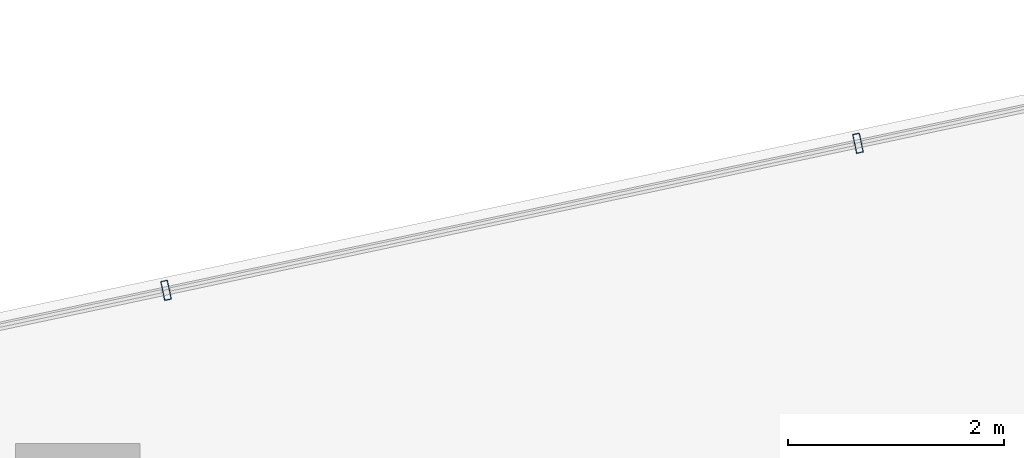
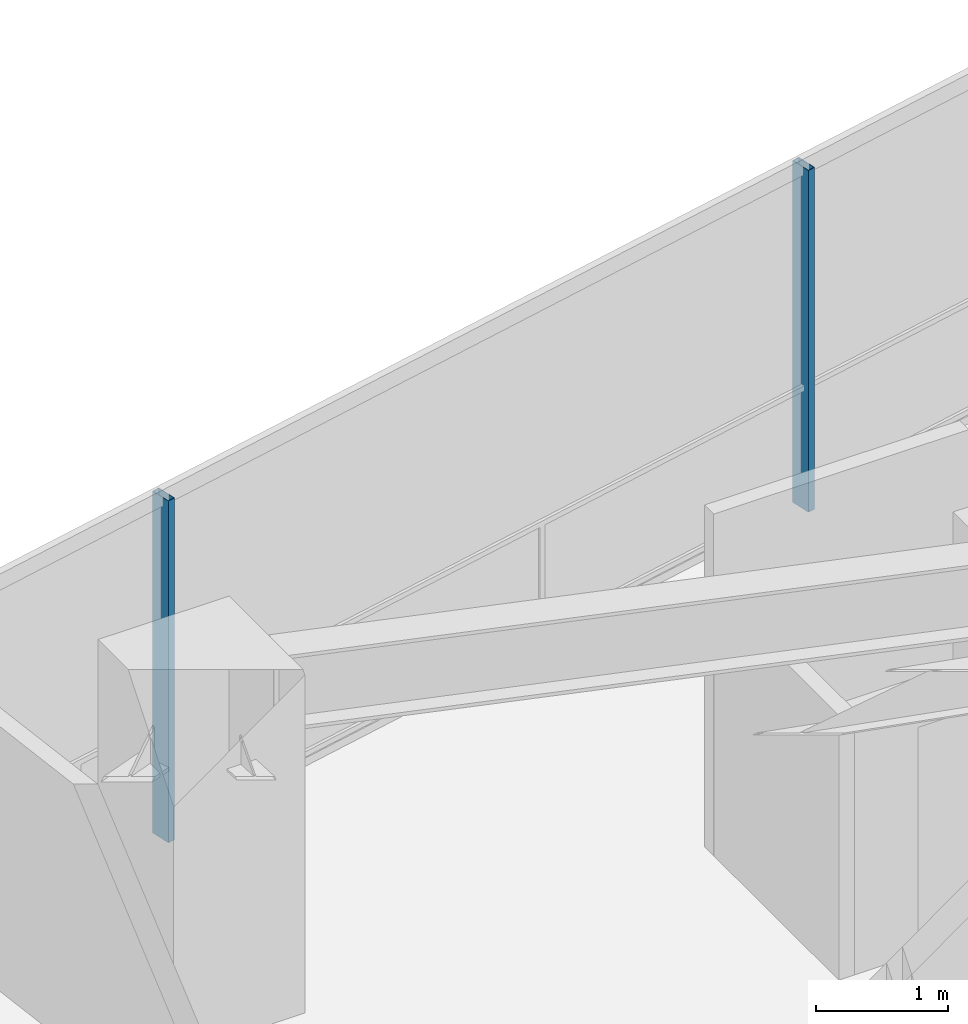
# One storey, part 19 of 27: 2 members, 1 element without a shape of its own.
"""IFC4 building model written with IfcOpenShell, lengths in metres."""

from ifc_helpers import new_model, si_unit, direction, frame, origin, origin_2d, place, context, subcontext, project, spatial, hollow_rectangle, extrude, material, layer, layer_set, material_profile, profile_set, type_object, element, aggregate, save


model = new_model("IFC4")

# Units and contexts
model_context = context("Model", 3, precision=1e-05, world=origin(), true_north=direction((0.0, 1.0)))
body_context = subcontext(model_context, "Body", "Model", "MODEL_VIEW")
ifc_project = project(units=[si_unit("LENGTHUNIT", "METRE"), si_unit("AREAUNIT", "SQUARE_METRE"), si_unit("VOLUMEUNIT", "CUBIC_METRE"), si_unit("PLANEANGLEUNIT", "RADIAN"), si_unit("MASSUNIT", "GRAM", prefix="KILO")], contexts=[model_context])

# Site, building, storey
site_placement = place(None, origin())
site = spatial("IfcSite", under=ifc_project, at=site_placement, CompositionType="ELEMENT")
building_placement = place(site_placement, origin())
building = spatial("IfcBuilding", under=site, at=building_placement, Name="Qarnah Convention Tower", CompositionType="ELEMENT")
storey_placement = place(building_placement, frame((0.0, 0.0, 110.85009765625)))
storey = spatial("IfcBuildingStorey", under=building, at=storey_placement, Name="L29", CompositionType="ELEMENT", Elevation=110.85009765625)

# Curtain wall, members
ifc_material_1 = material(Name="Tempered Low-E dark glass", Category="glass")
ifc_layer = layer(ifc_material_1, 0.169921875)
ifc_layer_set = layer_set([ifc_layer], Name="Tempered Low-E dark glass")
curtain_wall_type = type_object("IfcCurtainWallType", Name="CWS-02", PredefinedType="NOTDEFINED", material=ifc_layer_set)
curtain_wall_placement = place(storey_placement, origin())
curtain_wall = element("IfcCurtainWall", 1, at=curtain_wall_placement, inside=storey, type_object=curtain_wall_type, Name="L29 unitised curtain wall CW-L29-F1", PredefinedType="NOTDEFINED")
ifc_material_2 = material(Name="Black anodised aluminium", Category="aluminium")
ifc_material_profile = material_profile(ifc_material_2, hollow_rectangle(XDim=0.06494140625, YDim=0.179931640625, WallThickness=0.00390625, at=origin_2d()), Name="MUL-65X180")
ifc_profile_set = profile_set([ifc_material_profile], Name="Black anodised aluminium")
member_type = type_object("IfcMemberType", Name="MUL-T2", PredefinedType="MULLION", material=ifc_profile_set)
member_1_placement = place(storey_placement, frame((37.470703125, 44.0302734375, 0.0), z_axis=(0.0, 0.0, 1.0), x_axis=(0.978150383892, 0.207898596655, 0.0)))
member_1 = element("IfcMember", 2, at=member_1_placement, type_object=member_type, Name="CW-L29-F1 mullion 4", PredefinedType="MULLION", context=body_context, shape_type="SweptSolid", body=[
    extrude(hollow_rectangle(XDim=0.06494140625, YDim=0.179931640625, WallThickness=0.00390625, at=origin_2d()), origin(), (0.0, 0.0, 1.0), 3.169921875),
])
member_2_placement = place(storey_placement, frame((43.871337890625, 45.390625, 0.0), z_axis=(0.0, 0.0, 1.0), x_axis=(0.978150383892, 0.207898596655, 0.0)))
member_2 = element("IfcMember", 3, at=member_2_placement, type_object=member_type, Name="CW-L29-F1 mullion 5", PredefinedType="MULLION", context=body_context, shape_type="SweptSolid", body=[
    extrude(hollow_rectangle(XDim=0.06494140625, YDim=0.179931640625, WallThickness=0.00390625, at=origin_2d()), origin(), (0.0, 0.0, 1.0), 3.169921875),
])
aggregate(curtain_wall, [member_1, member_2])

save(model, "model.ifc")
